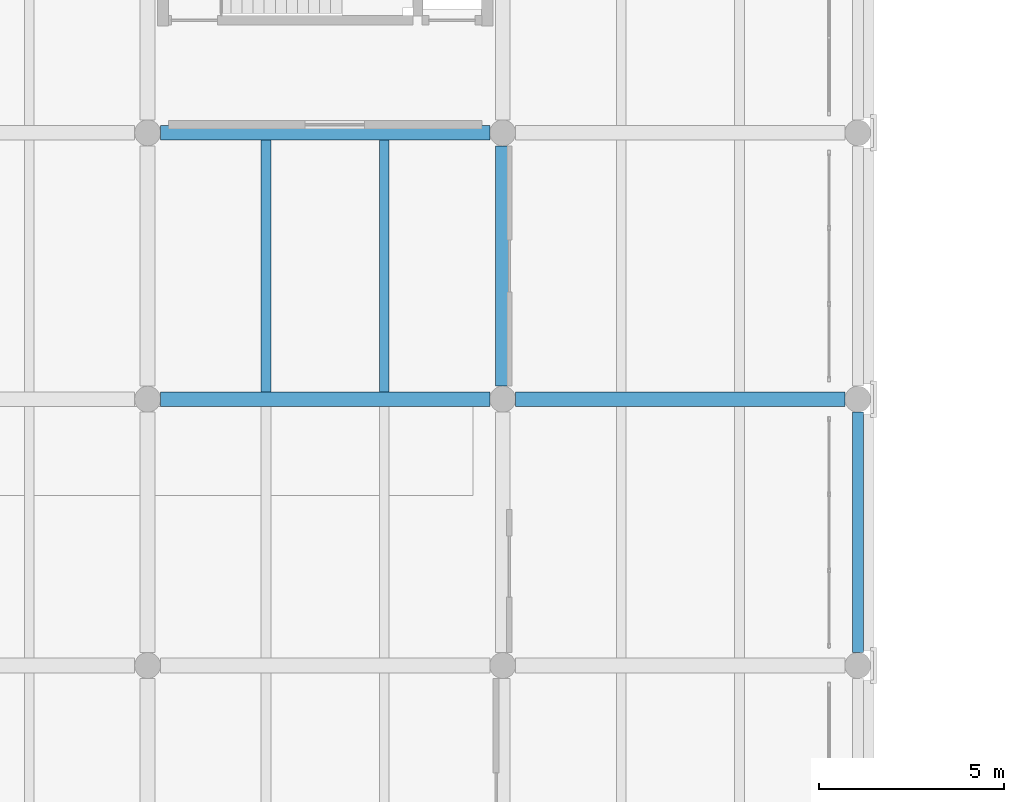
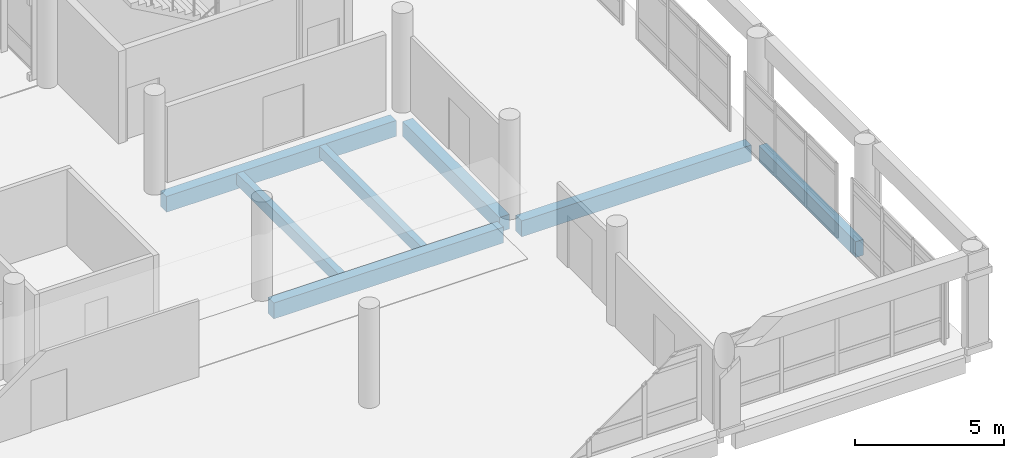
# One storey, part 50 of 180: 7 beams.
"""IFC4 building model written with IfcOpenShell, lengths in metres."""

from ifc_helpers import new_model, si_unit, direction, frame, origin, origin_2d, place, context, subcontext, project, spatial, rectangle, extrude, material, material_profile, profile_set, type_object, element, save


model = new_model("IFC4")

# Units and contexts
model_context = context("Model", 3, precision=1e-05, world=origin(), true_north=direction((0.0, 1.0)))
body_context = subcontext(model_context, "Body", "Model", "MODEL_VIEW")
ifc_project = project(units=[si_unit("LENGTHUNIT", "METRE"), si_unit("AREAUNIT", "SQUARE_METRE"), si_unit("VOLUMEUNIT", "CUBIC_METRE"), si_unit("PLANEANGLEUNIT", "RADIAN"), si_unit("MASSUNIT", "GRAM", prefix="KILO")], contexts=[model_context])

# Site, building, storey
site_placement = place(None, origin())
site = spatial("IfcSite", under=ifc_project, at=site_placement, CompositionType="ELEMENT")
building_placement = place(site_placement, origin())
building = spatial("IfcBuilding", under=site, at=building_placement, Name="Asteropetra Specialist Clinic", CompositionType="ELEMENT")
storey_placement = place(building_placement, frame((0.0, 0.0, 4.419921875)))
storey = spatial("IfcBuildingStorey", under=building, at=storey_placement, Name="L01", CompositionType="ELEMENT", Elevation=4.419921875)

# Beams
ifc_material_1 = material(Name="Concrete C35/45", Category="concrete")
ifc_material_profile_1 = material_profile(ifc_material_1, rectangle(XDim=0.39990234375, YDim=0.60009765625, at=origin_2d()), Name="RCB 400x600")
ifc_profile_set_1 = profile_set([ifc_material_profile_1], Name="Concrete C35/45")
beam_type_1 = type_object("IfcBeamType", Name="BM-RC400x600", PredefinedType="BEAM", material=ifc_profile_set_1)
beam_1_placement = place(storey_placement, frame((38.39990234375, 48.35009765625, -0.599853515625), z_axis=(0.0, 1.0, 0.0), x_axis=(-1.0, 0.0, 0.0)))
element("IfcBeam", 1, at=beam_1_placement, inside=storey, type_object=beam_type_1, Name="Beam BBM08-0368", PredefinedType="BEAM", context=body_context, shape_type="SweptSolid", body=[
    extrude(rectangle(XDim=0.39990234375, YDim=0.60009765625, at=origin_2d()), origin(), (0.0, 0.0, 1.0), 6.5),
])
ifc_material_2 = material(Name="Concrete C35/45", Category="concrete")
ifc_material_profile_2 = material_profile(ifc_material_2, rectangle(XDim=0.39990234375, YDim=0.64990234375, at=origin_2d()), Name="RCB 400x650")
ifc_profile_set_2 = profile_set([ifc_material_profile_2], Name="Concrete C35/45")
beam_type_2 = type_object("IfcBeamType", Name="BM-RC400x650", PredefinedType="BEAM", material=ifc_profile_set_2)
beam_2_placement = place(storey_placement, frame((29.14990234375, 48.0, -0.625), z_axis=(1.0, 0.0, 0.0), x_axis=(0.0, 1.0, 0.0)))
element("IfcBeam", 2, at=beam_2_placement, inside=storey, type_object=beam_type_2, Name="Beam BBM07-0322", PredefinedType="BEAM", context=body_context, shape_type="SweptSolid", body=[
    extrude(rectangle(XDim=0.39990234375, YDim=0.64990234375, at=origin_2d()), origin(), (0.0, 0.0, 1.0), 8.900146484375),
])
beam_3_placement = place(storey_placement, frame((38.75, 48.0, -0.625), z_axis=(1.0, 0.0, 0.0), x_axis=(0.0, 1.0, 0.0)))
element("IfcBeam", 3, at=beam_3_placement, inside=storey, type_object=beam_type_2, Name="Beam BBM07-0323", PredefinedType="BEAM", context=body_context, shape_type="SweptSolid", body=[
    extrude(rectangle(XDim=0.39990234375, YDim=0.64990234375, at=origin_2d()), origin(), (0.0, 0.0, 1.0), 8.89990234375),
])
beam_4_placement = place(storey_placement, frame((29.14990234375, 55.199951171875, -0.625), z_axis=(1.0, 0.0, 0.0), x_axis=(0.0, 1.0, 0.0)))
element("IfcBeam", 4, at=beam_4_placement, inside=storey, type_object=beam_type_2, Name="Beam BBM07-0327", PredefinedType="BEAM", context=body_context, shape_type="SweptSolid", body=[
    extrude(rectangle(XDim=0.39990234375, YDim=0.64990234375, at=origin_2d()), origin(), (0.0, 0.0, 1.0), 8.900146484375),
])
ifc_material_3 = material(Name="Concrete C35/45", Category="concrete")
ifc_material_profile_3 = material_profile(ifc_material_3, rectangle(XDim=0.260009765625, YDim=0.47998046875, at=origin_2d()), Name="RCJ 260x480")
ifc_profile_set_3 = profile_set([ifc_material_profile_3], Name="Concrete C35/45")
beam_type_3 = type_object("IfcBeamType", Name="JST-RC260x480", PredefinedType="JOIST", material=ifc_profile_set_3)
for number, where, z_axis, x_axis, name in (
    (5, (32.0, 48.199951171875, -0.5400390625), (0.0, 1.0, 0.0), (-1.0, 0.0, 0.0), "Joist JJST02-0376"),
    (6, (35.199951171875, 48.199951171875, -0.5400390625), (0.0, 1.0, 0.0), (-1.0, 0.0, 0.0), "Joist JJST02-0377"),
):
    element("IfcBeam", number, at=place(storey_placement, frame(where, z_axis=z_axis, x_axis=x_axis)), inside=storey, type_object=beam_type_3, Name=name, PredefinedType="JOIST", context=body_context, shape_type="SweptSolid", body=[
        extrude(rectangle(XDim=0.260009765625, YDim=0.47998046875, at=origin_2d()), origin(), (0.0, 0.0, 1.0), 6.800048828125),
    ])
ifc_material_4 = material(Name="Concrete C35/45", Category="concrete")
ifc_material_profile_4 = material_profile(ifc_material_4, rectangle(XDim=0.300048828125, YDim=0.64990234375, at=origin_2d()), Name="RCS 300x650")
ifc_profile_set_4 = profile_set([ifc_material_profile_4], Name="Concrete C35/45")
beam_type_4 = type_object("IfcBeamType", Name="SPN-RC300x650", PredefinedType="SPANDREL", material=ifc_profile_set_4)
beam_5_placement = place(storey_placement, frame((48.0, 41.14990234375, -0.625), z_axis=(0.0, 1.0, 0.0), x_axis=(-1.0, 0.0, 0.0)))
element("IfcBeam", 7, at=beam_5_placement, inside=storey, type_object=beam_type_4, Name="Beam BSPN03-0353", PredefinedType="SPANDREL", context=body_context, shape_type="SweptSolid", body=[
    extrude(rectangle(XDim=0.300048828125, YDim=0.64990234375, at=origin_2d()), origin(), (0.0, 0.0, 1.0), 6.5),
])

save(model, "model.ifc")
